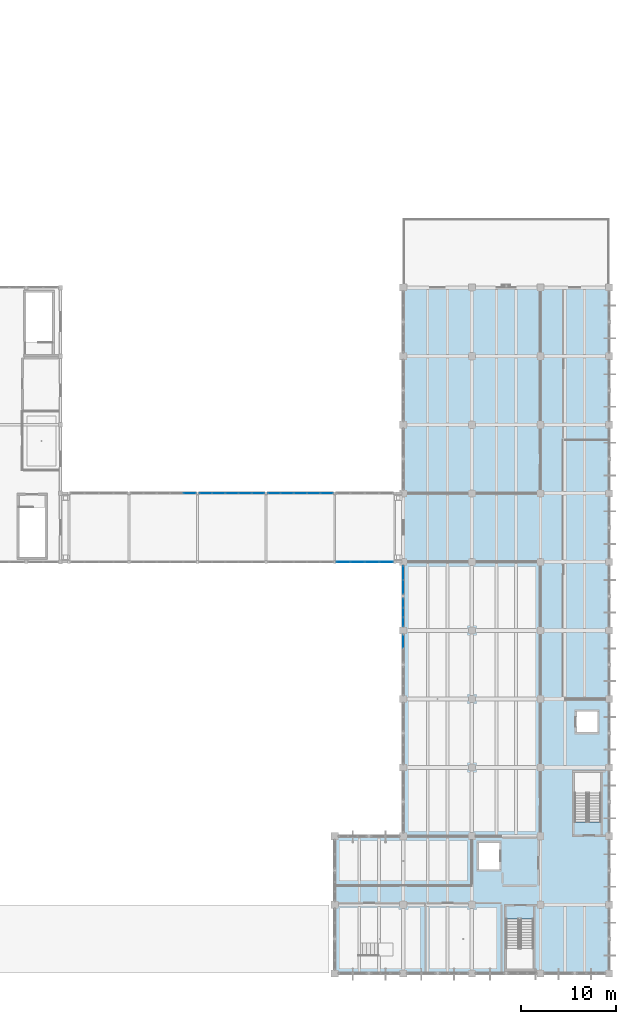
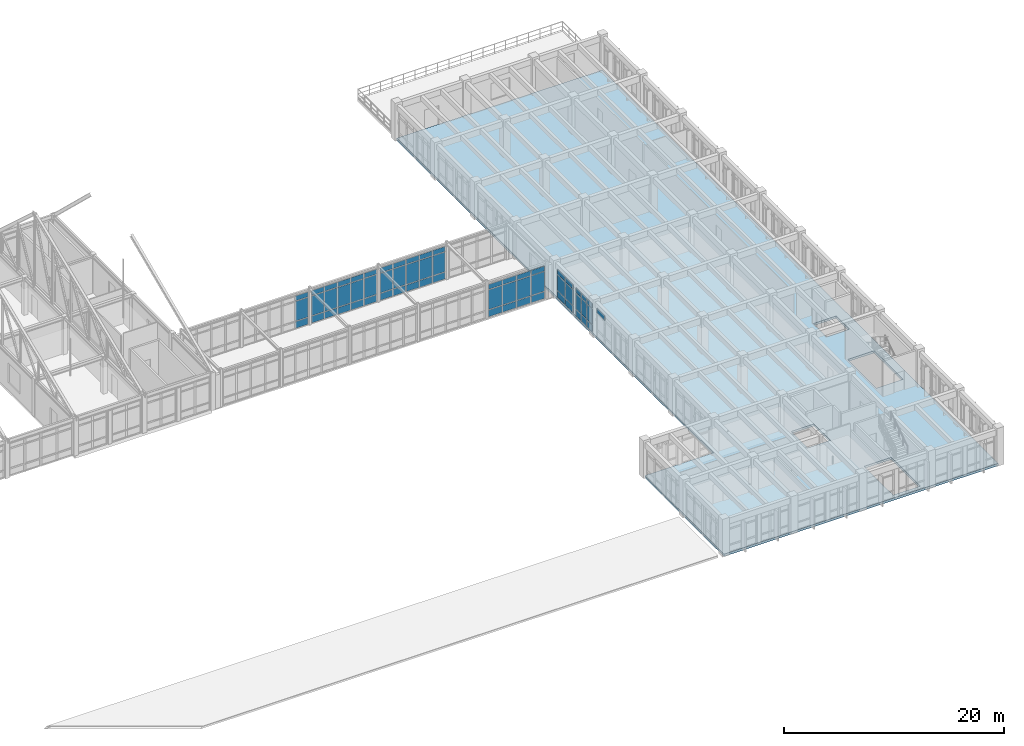
# One storey, part 90 of 136: 61 plates, 1 slab, 7 elements without a shape of their own.
"""IFC4 building model written with IfcOpenShell, lengths in metres."""

from ifc_helpers import new_model, si_unit, direction, frame, origin, origin_2d, place, context, subcontext, project, spatial, polyline, rectangle, outline, extrude, material, layer, layer_set, type_object, element, aggregate, save


model = new_model("IFC4")

# Units and contexts
model_context = context("Model", 3, precision=1e-05, world=origin(), true_north=direction((0.0, 1.0)))
body_context = subcontext(model_context, "Body", "Model", "MODEL_VIEW")
ifc_project = project(units=[si_unit("LENGTHUNIT", "METRE"), si_unit("AREAUNIT", "SQUARE_METRE"), si_unit("VOLUMEUNIT", "CUBIC_METRE"), si_unit("PLANEANGLEUNIT", "RADIAN"), si_unit("MASSUNIT", "GRAM", prefix="KILO")], contexts=[model_context])

# Site, building, storey
site_placement = place(None, origin())
site = spatial("IfcSite", under=ifc_project, at=site_placement, CompositionType="ELEMENT")
building_placement = place(site_placement, origin())
building = spatial("IfcBuilding", under=site, at=building_placement, Name="Koriwan Promenade Central Fire Station", CompositionType="ELEMENT")
storey_placement = place(building_placement, frame((0.0, 0.0, 5.39990234375)))
storey = spatial("IfcBuildingStorey", under=building, at=storey_placement, Name="L01", CompositionType="ELEMENT", Elevation=5.39990234375)

# Curtain wall, plate
ifc_material_1 = material(Name="Aluminium EN AW-6063-T6 and low-E glazing", Category="aluminium")
ifc_layer_1 = layer(ifc_material_1, 0.159912109375, Name="Aluminium EN AW-6063-T6 and low-E glazing")
ifc_layer_set_1 = layer_set([ifc_layer_1], Name="Aluminium EN AW-6063-T6 and low-E glazing")
curtain_wall_type_1 = type_object("IfcCurtainWallType", Name="CurtainWall_68_302x334", PredefinedType="USERDEFINED", material=ifc_layer_set_1)
curtain_wall_1_placement = place(storey_placement, origin())
curtain_wall_1 = element("IfcCurtainWall", 1, at=curtain_wall_1_placement, inside=storey, type_object=curtain_wall_type_1, Name="V5 L01 unitised curtain wall 180", ObjectType="UNITISED CURTAIN WALL", PredefinedType="USERDEFINED")
ifc_material_2 = material(Name="Solar-control low-E acoustic glazing", Category="glass")
ifc_layer_2 = layer(ifc_material_2, 0.031982421875, Name="Solar-control low-E acoustic glazing")
ifc_layer_set_2 = layer_set([ifc_layer_2], Name="Solar-control low-E acoustic glazing")
plate_type = type_object("IfcPlateType", Name="CWPanel_32", PredefinedType="CURTAIN_PANEL", material=ifc_layer_set_2)
plate_1_placement = place(storey_placement, frame((151.199951171875, 34.85009765625, 2.7275390625), z_axis=(0.0, 0.0, 1.0), x_axis=(0.0, 1.0, 0.0)))
plate_1 = element("IfcPlate", 2, at=plate_1_placement, type_object=plate_type, Name="CW-68 panel 2.3", PredefinedType="CURTAIN_PANEL", context=body_context, shape_type="SweptSolid", body=[
    extrude(rectangle(XDim=1.39990234375, YDim=0.031982421875, at=origin_2d()), origin(), (0.0, 0.0, 1.0), 0.53759765625),
])
aggregate(curtain_wall_1, [plate_1])

# Curtain wall, plates
ifc_layer_3 = layer(ifc_material_1, 0.159912109375, Name="Aluminium EN AW-6063-T6 and low-E glazing")
ifc_layer_set_3 = layer_set([ifc_layer_3], Name="Aluminium EN AW-6063-T6 and low-E glazing")
curtain_wall_type_2 = type_object("IfcCurtainWallType", Name="CurtainWall_62_302x329", PredefinedType="USERDEFINED", material=ifc_layer_set_3)
curtain_wall_2_placement = place(storey_placement, origin())
curtain_wall_2 = element("IfcCurtainWall", 3, at=curtain_wall_2_placement, inside=storey, type_object=curtain_wall_type_2, Name="V5 L01 unitised curtain wall 181", ObjectType="UNITISED CURTAIN WALL", PredefinedType="USERDEFINED")
plate_2_placement = place(storey_placement, frame((151.199951171875, 36.89794921875, 0.0751953125), z_axis=(0.0, 0.0, 1.0), x_axis=(0.0, 1.0, 0.0)))
plate_2 = element("IfcPlate", 4, at=plate_2_placement, type_object=plate_type, Name="CW-62 panel 1.1", PredefinedType="CURTAIN_PANEL", context=body_context, shape_type="SweptSolid", body=[
    extrude(rectangle(XDim=0.895751953125, YDim=0.031982421875, at=origin_2d()), origin(), (0.0, 0.0, 1.0), 0.737548828125),
])
plate_3_placement = place(storey_placement, frame((151.199951171875, 36.89794921875, 0.8876953125), z_axis=(0.0, 0.0, 1.0), x_axis=(0.0, 1.0, 0.0)))
plate_3 = element("IfcPlate", 5, at=plate_3_placement, type_object=plate_type, Name="CW-62 panel 1.2", PredefinedType="CURTAIN_PANEL", context=body_context, shape_type="SweptSolid", body=[
    extrude(rectangle(XDim=0.895751953125, YDim=0.031982421875, at=origin_2d()), origin(), (0.0, 0.0, 1.0), 1.715087890625),
])
plate_4_placement = place(storey_placement, frame((151.199951171875, 36.89794921875, 2.677490234375), z_axis=(0.0, 0.0, 1.0), x_axis=(0.0, 1.0, 0.0)))
plate_4 = element("IfcPlate", 6, at=plate_4_placement, type_object=plate_type, Name="CW-62 panel 1.3", PredefinedType="CURTAIN_PANEL", context=body_context, shape_type="SweptSolid", body=[
    extrude(rectangle(XDim=0.895751953125, YDim=0.031982421875, at=origin_2d()), origin(), (0.0, 0.0, 1.0), 0.53759765625),
])
plate_5_placement = place(storey_placement, frame((151.199951171875, 37.887451171875, 0.0751953125), z_axis=(0.0, 0.0, 1.0), x_axis=(0.0, 1.0, 0.0)))
plate_5 = element("IfcPlate", 7, at=plate_5_placement, type_object=plate_type, Name="CW-62 panel 2.1", PredefinedType="CURTAIN_PANEL", context=body_context, shape_type="SweptSolid", body=[
    extrude(rectangle(XDim=0.933349609375, YDim=0.031982421875, at=origin_2d()), origin(), (0.0, 0.0, 1.0), 0.737548828125),
])
plate_6_placement = place(storey_placement, frame((151.199951171875, 37.887451171875, 0.8876953125), z_axis=(0.0, 0.0, 1.0), x_axis=(0.0, 1.0, 0.0)))
plate_6 = element("IfcPlate", 8, at=plate_6_placement, type_object=plate_type, Name="CW-62 panel 2.2", PredefinedType="CURTAIN_PANEL", context=body_context, shape_type="SweptSolid", body=[
    extrude(rectangle(XDim=0.933349609375, YDim=0.031982421875, at=origin_2d()), origin(), (0.0, 0.0, 1.0), 1.715087890625),
])
plate_7_placement = place(storey_placement, frame((151.199951171875, 37.887451171875, 2.677490234375), z_axis=(0.0, 0.0, 1.0), x_axis=(0.0, 1.0, 0.0)))
plate_7 = element("IfcPlate", 9, at=plate_7_placement, type_object=plate_type, Name="CW-62 panel 2.3", PredefinedType="CURTAIN_PANEL", context=body_context, shape_type="SweptSolid", body=[
    extrude(rectangle(XDim=0.933349609375, YDim=0.031982421875, at=origin_2d()), origin(), (0.0, 0.0, 1.0), 0.53759765625),
])
plate_8_placement = place(storey_placement, frame((151.199951171875, 38.877197265625, 0.0751953125), z_axis=(0.0, 0.0, 1.0), x_axis=(0.0, 1.0, 0.0)))
plate_8 = element("IfcPlate", 10, at=plate_8_placement, type_object=plate_type, Name="CW-62 panel 3.1", PredefinedType="CURTAIN_PANEL", context=body_context, shape_type="SweptSolid", body=[
    extrude(rectangle(XDim=0.895751953125, YDim=0.031982421875, at=origin_2d()), origin(), (0.0, 0.0, 1.0), 0.737548828125),
])
plate_9_placement = place(storey_placement, frame((151.199951171875, 38.877197265625, 0.8876953125), z_axis=(0.0, 0.0, 1.0), x_axis=(0.0, 1.0, 0.0)))
plate_9 = element("IfcPlate", 11, at=plate_9_placement, type_object=plate_type, Name="CW-62 panel 3.2", PredefinedType="CURTAIN_PANEL", context=body_context, shape_type="SweptSolid", body=[
    extrude(rectangle(XDim=0.895751953125, YDim=0.031982421875, at=origin_2d()), origin(), (0.0, 0.0, 1.0), 1.715087890625),
])
plate_10_placement = place(storey_placement, frame((151.199951171875, 38.877197265625, 2.677490234375), z_axis=(0.0, 0.0, 1.0), x_axis=(0.0, 1.0, 0.0)))
plate_10 = element("IfcPlate", 12, at=plate_10_placement, type_object=plate_type, Name="CW-62 panel 3.3", PredefinedType="CURTAIN_PANEL", context=body_context, shape_type="SweptSolid", body=[
    extrude(rectangle(XDim=0.895751953125, YDim=0.031982421875, at=origin_2d()), origin(), (0.0, 0.0, 1.0), 0.53759765625),
])
aggregate(curtain_wall_2, [plate_2, plate_3, plate_4, plate_5, plate_6, plate_7, plate_8, plate_9, plate_10])

ifc_layer_4 = layer(ifc_material_1, 0.159912109375, Name="Aluminium EN AW-6063-T6 and low-E glazing")
ifc_layer_set_4 = layer_set([ifc_layer_4], Name="Aluminium EN AW-6063-T6 and low-E glazing")
curtain_wall_type_3 = type_object("IfcCurtainWallType", Name="CurtainWall_08_303x329", PredefinedType="USERDEFINED", material=ifc_layer_set_4)
curtain_wall_3_placement = place(storey_placement, origin())
curtain_wall_3 = element("IfcCurtainWall", 13, at=curtain_wall_3_placement, inside=storey, type_object=curtain_wall_type_3, Name="V5 L01 unitised curtain wall 182", ObjectType="UNITISED CURTAIN WALL", PredefinedType="USERDEFINED")
plate_11_placement = place(storey_placement, frame((151.199951171875, 40.574951171875, 0.0751953125), z_axis=(0.0, 0.0, 1.0), x_axis=(0.0, 1.0, 0.0)))
plate_11 = element("IfcPlate", 14, at=plate_11_placement, type_object=plate_type, Name="CW-08 panel 1.1", PredefinedType="CURTAIN_PANEL", context=body_context, shape_type="SweptSolid", body=[
    extrude(rectangle(XDim=1.39990234375, YDim=0.031982421875, at=origin_2d()), origin(), (0.0, 0.0, 1.0), 0.737548828125),
])
plate_12_placement = place(storey_placement, frame((151.199951171875, 40.574951171875, 0.8876953125), z_axis=(0.0, 0.0, 1.0), x_axis=(0.0, 1.0, 0.0)))
plate_12 = element("IfcPlate", 15, at=plate_12_placement, type_object=plate_type, Name="CW-08 panel 1.2", PredefinedType="CURTAIN_PANEL", context=body_context, shape_type="SweptSolid", body=[
    extrude(rectangle(XDim=1.39990234375, YDim=0.031982421875, at=origin_2d()), origin(), (0.0, 0.0, 1.0), 1.715087890625),
])
plate_13_placement = place(storey_placement, frame((151.199951171875, 40.574951171875, 2.677490234375), z_axis=(0.0, 0.0, 1.0), x_axis=(0.0, 1.0, 0.0)))
plate_13 = element("IfcPlate", 16, at=plate_13_placement, type_object=plate_type, Name="CW-08 panel 1.3", PredefinedType="CURTAIN_PANEL", context=body_context, shape_type="SweptSolid", body=[
    extrude(rectangle(XDim=1.39990234375, YDim=0.031982421875, at=origin_2d()), origin(), (0.0, 0.0, 1.0), 0.53759765625),
])
plate_14_placement = place(storey_placement, frame((151.199951171875, 42.050048828125, 0.0751953125), z_axis=(0.0, 0.0, 1.0), x_axis=(0.0, 1.0, 0.0)))
plate_14 = element("IfcPlate", 17, at=plate_14_placement, type_object=plate_type, Name="CW-08 panel 2.1", PredefinedType="CURTAIN_PANEL", context=body_context, shape_type="SweptSolid", body=[
    extrude(rectangle(XDim=1.39990234375, YDim=0.031982421875, at=origin_2d()), origin(), (0.0, 0.0, 1.0), 0.737548828125),
])
plate_15_placement = place(storey_placement, frame((151.199951171875, 42.050048828125, 0.8876953125), z_axis=(0.0, 0.0, 1.0), x_axis=(0.0, 1.0, 0.0)))
plate_15 = element("IfcPlate", 18, at=plate_15_placement, type_object=plate_type, Name="CW-08 panel 2.2", PredefinedType="CURTAIN_PANEL", context=body_context, shape_type="SweptSolid", body=[
    extrude(rectangle(XDim=1.39990234375, YDim=0.031982421875, at=origin_2d()), origin(), (0.0, 0.0, 1.0), 1.715087890625),
])
plate_16_placement = place(storey_placement, frame((151.199951171875, 42.050048828125, 2.677490234375), z_axis=(0.0, 0.0, 1.0), x_axis=(0.0, 1.0, 0.0)))
plate_16 = element("IfcPlate", 19, at=plate_16_placement, type_object=plate_type, Name="CW-08 panel 2.3", PredefinedType="CURTAIN_PANEL", context=body_context, shape_type="SweptSolid", body=[
    extrude(rectangle(XDim=1.39990234375, YDim=0.031982421875, at=origin_2d()), origin(), (0.0, 0.0, 1.0), 0.53759765625),
])
aggregate(curtain_wall_3, [plate_11, plate_12, plate_13, plate_14, plate_15, plate_16])

ifc_layer_5 = layer(ifc_material_1, 0.159912109375, Name="Aluminium EN AW-6063-T6 and low-E glazing")
ifc_layer_set_5 = layer_set([ifc_layer_5], Name="Aluminium EN AW-6063-T6 and low-E glazing")
curtain_wall_type_4 = type_object("IfcCurtainWallType", Name="CurtainWall_98_695x374", PredefinedType="USERDEFINED", material=ifc_layer_set_5)
curtain_wall_4_placement = place(storey_placement, origin())
curtain_wall_4 = element("IfcCurtainWall", 20, at=curtain_wall_4_placement, inside=storey, type_object=curtain_wall_type_4, Name="V5 L01 unitised curtain wall 311", ObjectType="UNITISED CURTAIN WALL", PredefinedType="USERDEFINED")
plate_17_placement = place(storey_placement, frame((128.76123046875, 50.39990234375, 0.0751953125), z_axis=(0.0, 0.0, 1.0), x_axis=(1.0, 0.0, 0.0)))
plate_17 = element("IfcPlate", 21, at=plate_17_placement, type_object=plate_type, Name="CW-98 panel 5.1", PredefinedType="CURTAIN_PANEL", context=body_context, shape_type="SweptSolid", body=[
    extrude(rectangle(XDim=1.277587890625, YDim=0.031982421875, at=origin_2d()), origin(), (0.0, 0.0, 1.0), 0.737548828125),
])
plate_18_placement = place(storey_placement, frame((128.76123046875, 50.39990234375, 0.8876953125), z_axis=(0.0, 0.0, 1.0), x_axis=(1.0, 0.0, 0.0)))
plate_18 = element("IfcPlate", 22, at=plate_18_placement, type_object=plate_type, Name="CW-98 panel 5.2", PredefinedType="CURTAIN_PANEL", context=body_context, shape_type="SweptSolid", body=[
    extrude(rectangle(XDim=1.277587890625, YDim=0.031982421875, at=origin_2d()), origin(), (0.0, 0.0, 1.0), 2.1650390625),
])
plate_19_placement = place(storey_placement, frame((128.76123046875, 50.39990234375, 3.12744140625), z_axis=(0.0, 0.0, 1.0), x_axis=(1.0, 0.0, 0.0)))
plate_19 = element("IfcPlate", 23, at=plate_19_placement, type_object=plate_type, Name="CW-98 panel 5.3", PredefinedType="CURTAIN_PANEL", context=body_context, shape_type="SweptSolid", body=[
    extrude(rectangle(XDim=1.277587890625, YDim=0.031982421875, at=origin_2d()), origin(), (0.0, 0.0, 1.0), 0.53759765625),
])
aggregate(curtain_wall_4, [plate_17, plate_18, plate_19])

curtain_wall_5_placement = place(storey_placement, origin())
curtain_wall_5 = element("IfcCurtainWall", 24, at=curtain_wall_5_placement, inside=storey, type_object=curtain_wall_type_4, Name="V5 L01 unitised curtain wall 313", ObjectType="UNITISED CURTAIN WALL", PredefinedType="USERDEFINED")
plate_20_placement = place(storey_placement, frame((130.438720703125, 50.39990234375, 0.0751953125), z_axis=(0.0, 0.0, 1.0), x_axis=(1.0, 0.0, 0.0)))
plate_20 = element("IfcPlate", 25, at=plate_20_placement, type_object=plate_type, Name="CW-98 panel 1.1", PredefinedType="CURTAIN_PANEL", context=body_context, shape_type="SweptSolid", body=[
    extrude(rectangle(XDim=1.277587890625, YDim=0.031982421875, at=origin_2d()), origin(), (0.0, 0.0, 1.0), 0.737548828125),
])
plate_21_placement = place(storey_placement, frame((130.438720703125, 50.39990234375, 0.8876953125), z_axis=(0.0, 0.0, 1.0), x_axis=(1.0, 0.0, 0.0)))
plate_21 = element("IfcPlate", 26, at=plate_21_placement, type_object=plate_type, Name="CW-98 panel 1.2", PredefinedType="CURTAIN_PANEL", context=body_context, shape_type="SweptSolid", body=[
    extrude(rectangle(XDim=1.277587890625, YDim=0.031982421875, at=origin_2d()), origin(), (0.0, 0.0, 1.0), 2.1650390625),
])
plate_22_placement = place(storey_placement, frame((130.438720703125, 50.39990234375, 3.12744140625), z_axis=(0.0, 0.0, 1.0), x_axis=(1.0, 0.0, 0.0)))
plate_22 = element("IfcPlate", 27, at=plate_22_placement, type_object=plate_type, Name="CW-98 panel 1.3", PredefinedType="CURTAIN_PANEL", context=body_context, shape_type="SweptSolid", body=[
    extrude(rectangle(XDim=1.277587890625, YDim=0.031982421875, at=origin_2d()), origin(), (0.0, 0.0, 1.0), 0.53759765625),
])
plate_23_placement = place(storey_placement, frame((131.81005859375, 50.39990234375, 0.0751953125), z_axis=(0.0, 0.0, 1.0), x_axis=(1.0, 0.0, 0.0)))
plate_23 = element("IfcPlate", 28, at=plate_23_placement, type_object=plate_type, Name="CW-98 panel 2.1", PredefinedType="CURTAIN_PANEL", context=body_context, shape_type="SweptSolid", body=[
    extrude(rectangle(XDim=1.31494140625, YDim=0.031982421875, at=origin_2d()), origin(), (0.0, 0.0, 1.0), 0.737548828125),
])
plate_24_placement = place(storey_placement, frame((131.81005859375, 50.39990234375, 0.8876953125), z_axis=(0.0, 0.0, 1.0), x_axis=(1.0, 0.0, 0.0)))
plate_24 = element("IfcPlate", 29, at=plate_24_placement, type_object=plate_type, Name="CW-98 panel 2.2", PredefinedType="CURTAIN_PANEL", context=body_context, shape_type="SweptSolid", body=[
    extrude(rectangle(XDim=1.31494140625, YDim=0.031982421875, at=origin_2d()), origin(), (0.0, 0.0, 1.0), 2.1650390625),
])
plate_25_placement = place(storey_placement, frame((131.81005859375, 50.39990234375, 3.12744140625), z_axis=(0.0, 0.0, 1.0), x_axis=(1.0, 0.0, 0.0)))
plate_25 = element("IfcPlate", 30, at=plate_25_placement, type_object=plate_type, Name="CW-98 panel 2.3", PredefinedType="CURTAIN_PANEL", context=body_context, shape_type="SweptSolid", body=[
    extrude(rectangle(XDim=1.31494140625, YDim=0.031982421875, at=origin_2d()), origin(), (0.0, 0.0, 1.0), 0.53759765625),
])
plate_26_placement = place(storey_placement, frame((133.199951171875, 50.39990234375, 0.0751953125), z_axis=(0.0, 0.0, 1.0), x_axis=(1.0, 0.0, 0.0)))
plate_26 = element("IfcPlate", 31, at=plate_26_placement, type_object=plate_type, Name="CW-98 panel 3.1", PredefinedType="CURTAIN_PANEL", context=body_context, shape_type="SweptSolid", body=[
    extrude(rectangle(XDim=1.31494140625, YDim=0.031982421875, at=origin_2d()), origin(), (0.0, 0.0, 1.0), 0.737548828125),
])
plate_27_placement = place(storey_placement, frame((133.199951171875, 50.39990234375, 0.8876953125), z_axis=(0.0, 0.0, 1.0), x_axis=(1.0, 0.0, 0.0)))
plate_27 = element("IfcPlate", 32, at=plate_27_placement, type_object=plate_type, Name="CW-98 panel 3.2", PredefinedType="CURTAIN_PANEL", context=body_context, shape_type="SweptSolid", body=[
    extrude(rectangle(XDim=1.31494140625, YDim=0.031982421875, at=origin_2d()), origin(), (0.0, 0.0, 1.0), 2.1650390625),
])
plate_28_placement = place(storey_placement, frame((133.199951171875, 50.39990234375, 3.12744140625), z_axis=(0.0, 0.0, 1.0), x_axis=(1.0, 0.0, 0.0)))
plate_28 = element("IfcPlate", 33, at=plate_28_placement, type_object=plate_type, Name="CW-98 panel 3.3", PredefinedType="CURTAIN_PANEL", context=body_context, shape_type="SweptSolid", body=[
    extrude(rectangle(XDim=1.31494140625, YDim=0.031982421875, at=origin_2d()), origin(), (0.0, 0.0, 1.0), 0.53759765625),
])
plate_29_placement = place(storey_placement, frame((134.590087890625, 50.39990234375, 0.0751953125), z_axis=(0.0, 0.0, 1.0), x_axis=(1.0, 0.0, 0.0)))
plate_29 = element("IfcPlate", 34, at=plate_29_placement, type_object=plate_type, Name="CW-98 panel 4.1", PredefinedType="CURTAIN_PANEL", context=body_context, shape_type="SweptSolid", body=[
    extrude(rectangle(XDim=1.31494140625, YDim=0.031982421875, at=origin_2d()), origin(), (0.0, 0.0, 1.0), 0.737548828125),
])
plate_30_placement = place(storey_placement, frame((134.590087890625, 50.39990234375, 0.8876953125), z_axis=(0.0, 0.0, 1.0), x_axis=(1.0, 0.0, 0.0)))
plate_30 = element("IfcPlate", 35, at=plate_30_placement, type_object=plate_type, Name="CW-98 panel 4.2", PredefinedType="CURTAIN_PANEL", context=body_context, shape_type="SweptSolid", body=[
    extrude(rectangle(XDim=1.31494140625, YDim=0.031982421875, at=origin_2d()), origin(), (0.0, 0.0, 1.0), 2.1650390625),
])
plate_31_placement = place(storey_placement, frame((134.590087890625, 50.39990234375, 3.12744140625), z_axis=(0.0, 0.0, 1.0), x_axis=(1.0, 0.0, 0.0)))
plate_31 = element("IfcPlate", 36, at=plate_31_placement, type_object=plate_type, Name="CW-98 panel 4.3", PredefinedType="CURTAIN_PANEL", context=body_context, shape_type="SweptSolid", body=[
    extrude(rectangle(XDim=1.31494140625, YDim=0.031982421875, at=origin_2d()), origin(), (0.0, 0.0, 1.0), 0.53759765625),
])
plate_32_placement = place(storey_placement, frame((135.961181640625, 50.39990234375, 0.0751953125), z_axis=(0.0, 0.0, 1.0), x_axis=(1.0, 0.0, 0.0)))
plate_32 = element("IfcPlate", 37, at=plate_32_placement, type_object=plate_type, Name="CW-98 panel 5.1", PredefinedType="CURTAIN_PANEL", context=body_context, shape_type="SweptSolid", body=[
    extrude(rectangle(XDim=1.277587890625, YDim=0.031982421875, at=origin_2d()), origin(), (0.0, 0.0, 1.0), 0.737548828125),
])
plate_33_placement = place(storey_placement, frame((135.961181640625, 50.39990234375, 0.8876953125), z_axis=(0.0, 0.0, 1.0), x_axis=(1.0, 0.0, 0.0)))
plate_33 = element("IfcPlate", 38, at=plate_33_placement, type_object=plate_type, Name="CW-98 panel 5.2", PredefinedType="CURTAIN_PANEL", context=body_context, shape_type="SweptSolid", body=[
    extrude(rectangle(XDim=1.277587890625, YDim=0.031982421875, at=origin_2d()), origin(), (0.0, 0.0, 1.0), 2.1650390625),
])
plate_34_placement = place(storey_placement, frame((135.961181640625, 50.39990234375, 3.12744140625), z_axis=(0.0, 0.0, 1.0), x_axis=(1.0, 0.0, 0.0)))
plate_34 = element("IfcPlate", 39, at=plate_34_placement, type_object=plate_type, Name="CW-98 panel 5.3", PredefinedType="CURTAIN_PANEL", context=body_context, shape_type="SweptSolid", body=[
    extrude(rectangle(XDim=1.277587890625, YDim=0.031982421875, at=origin_2d()), origin(), (0.0, 0.0, 1.0), 0.53759765625),
])
aggregate(curtain_wall_5, [plate_20, plate_21, plate_22, plate_23, plate_24, plate_25, plate_26, plate_27, plate_28, plate_29, plate_30, plate_31, plate_32, plate_33, plate_34])

curtain_wall_6_placement = place(storey_placement, origin())
curtain_wall_6 = element("IfcCurtainWall", 40, at=curtain_wall_6_placement, inside=storey, type_object=curtain_wall_type_4, Name="V5 L01 unitised curtain wall 315", ObjectType="UNITISED CURTAIN WALL", PredefinedType="USERDEFINED")
plate_35_placement = place(storey_placement, frame((137.638671875, 50.39990234375, 0.0751953125), z_axis=(0.0, 0.0, 1.0), x_axis=(1.0, 0.0, 0.0)))
plate_35 = element("IfcPlate", 41, at=plate_35_placement, type_object=plate_type, Name="CW-98 panel 1.1", PredefinedType="CURTAIN_PANEL", context=body_context, shape_type="SweptSolid", body=[
    extrude(rectangle(XDim=1.277587890625, YDim=0.031982421875, at=origin_2d()), origin(), (0.0, 0.0, 1.0), 0.737548828125),
])
plate_36_placement = place(storey_placement, frame((137.638671875, 50.39990234375, 0.8876953125), z_axis=(0.0, 0.0, 1.0), x_axis=(1.0, 0.0, 0.0)))
plate_36 = element("IfcPlate", 42, at=plate_36_placement, type_object=plate_type, Name="CW-98 panel 1.2", PredefinedType="CURTAIN_PANEL", context=body_context, shape_type="SweptSolid", body=[
    extrude(rectangle(XDim=1.277587890625, YDim=0.031982421875, at=origin_2d()), origin(), (0.0, 0.0, 1.0), 2.1650390625),
])
plate_37_placement = place(storey_placement, frame((137.638671875, 50.39990234375, 3.12744140625), z_axis=(0.0, 0.0, 1.0), x_axis=(1.0, 0.0, 0.0)))
plate_37 = element("IfcPlate", 43, at=plate_37_placement, type_object=plate_type, Name="CW-98 panel 1.3", PredefinedType="CURTAIN_PANEL", context=body_context, shape_type="SweptSolid", body=[
    extrude(rectangle(XDim=1.277587890625, YDim=0.031982421875, at=origin_2d()), origin(), (0.0, 0.0, 1.0), 0.53759765625),
])
plate_38_placement = place(storey_placement, frame((139.010009765625, 50.39990234375, 0.0751953125), z_axis=(0.0, 0.0, 1.0), x_axis=(1.0, 0.0, 0.0)))
plate_38 = element("IfcPlate", 44, at=plate_38_placement, type_object=plate_type, Name="CW-98 panel 2.1", PredefinedType="CURTAIN_PANEL", context=body_context, shape_type="SweptSolid", body=[
    extrude(rectangle(XDim=1.31494140625, YDim=0.031982421875, at=origin_2d()), origin(), (0.0, 0.0, 1.0), 0.737548828125),
])
plate_39_placement = place(storey_placement, frame((139.010009765625, 50.39990234375, 0.8876953125), z_axis=(0.0, 0.0, 1.0), x_axis=(1.0, 0.0, 0.0)))
plate_39 = element("IfcPlate", 45, at=plate_39_placement, type_object=plate_type, Name="CW-98 panel 2.2", PredefinedType="CURTAIN_PANEL", context=body_context, shape_type="SweptSolid", body=[
    extrude(rectangle(XDim=1.31494140625, YDim=0.031982421875, at=origin_2d()), origin(), (0.0, 0.0, 1.0), 2.1650390625),
])
plate_40_placement = place(storey_placement, frame((139.010009765625, 50.39990234375, 3.12744140625), z_axis=(0.0, 0.0, 1.0), x_axis=(1.0, 0.0, 0.0)))
plate_40 = element("IfcPlate", 46, at=plate_40_placement, type_object=plate_type, Name="CW-98 panel 2.3", PredefinedType="CURTAIN_PANEL", context=body_context, shape_type="SweptSolid", body=[
    extrude(rectangle(XDim=1.31494140625, YDim=0.031982421875, at=origin_2d()), origin(), (0.0, 0.0, 1.0), 0.53759765625),
])
plate_41_placement = place(storey_placement, frame((140.39990234375, 50.39990234375, 0.0751953125), z_axis=(0.0, 0.0, 1.0), x_axis=(1.0, 0.0, 0.0)))
plate_41 = element("IfcPlate", 47, at=plate_41_placement, type_object=plate_type, Name="CW-98 panel 3.1", PredefinedType="CURTAIN_PANEL", context=body_context, shape_type="SweptSolid", body=[
    extrude(rectangle(XDim=1.31494140625, YDim=0.031982421875, at=origin_2d()), origin(), (0.0, 0.0, 1.0), 0.737548828125),
])
plate_42_placement = place(storey_placement, frame((140.39990234375, 50.39990234375, 0.8876953125), z_axis=(0.0, 0.0, 1.0), x_axis=(1.0, 0.0, 0.0)))
plate_42 = element("IfcPlate", 48, at=plate_42_placement, type_object=plate_type, Name="CW-98 panel 3.2", PredefinedType="CURTAIN_PANEL", context=body_context, shape_type="SweptSolid", body=[
    extrude(rectangle(XDim=1.31494140625, YDim=0.031982421875, at=origin_2d()), origin(), (0.0, 0.0, 1.0), 2.1650390625),
])
plate_43_placement = place(storey_placement, frame((140.39990234375, 50.39990234375, 3.12744140625), z_axis=(0.0, 0.0, 1.0), x_axis=(1.0, 0.0, 0.0)))
plate_43 = element("IfcPlate", 49, at=plate_43_placement, type_object=plate_type, Name="CW-98 panel 3.3", PredefinedType="CURTAIN_PANEL", context=body_context, shape_type="SweptSolid", body=[
    extrude(rectangle(XDim=1.31494140625, YDim=0.031982421875, at=origin_2d()), origin(), (0.0, 0.0, 1.0), 0.53759765625),
])
plate_44_placement = place(storey_placement, frame((141.7900390625, 50.39990234375, 0.0751953125), z_axis=(0.0, 0.0, 1.0), x_axis=(1.0, 0.0, 0.0)))
plate_44 = element("IfcPlate", 50, at=plate_44_placement, type_object=plate_type, Name="CW-98 panel 4.1", PredefinedType="CURTAIN_PANEL", context=body_context, shape_type="SweptSolid", body=[
    extrude(rectangle(XDim=1.31494140625, YDim=0.031982421875, at=origin_2d()), origin(), (0.0, 0.0, 1.0), 0.737548828125),
])
plate_45_placement = place(storey_placement, frame((141.7900390625, 50.39990234375, 0.8876953125), z_axis=(0.0, 0.0, 1.0), x_axis=(1.0, 0.0, 0.0)))
plate_45 = element("IfcPlate", 51, at=plate_45_placement, type_object=plate_type, Name="CW-98 panel 4.2", PredefinedType="CURTAIN_PANEL", context=body_context, shape_type="SweptSolid", body=[
    extrude(rectangle(XDim=1.31494140625, YDim=0.031982421875, at=origin_2d()), origin(), (0.0, 0.0, 1.0), 2.1650390625),
])
plate_46_placement = place(storey_placement, frame((141.7900390625, 50.39990234375, 3.12744140625), z_axis=(0.0, 0.0, 1.0), x_axis=(1.0, 0.0, 0.0)))
plate_46 = element("IfcPlate", 52, at=plate_46_placement, type_object=plate_type, Name="CW-98 panel 4.3", PredefinedType="CURTAIN_PANEL", context=body_context, shape_type="SweptSolid", body=[
    extrude(rectangle(XDim=1.31494140625, YDim=0.031982421875, at=origin_2d()), origin(), (0.0, 0.0, 1.0), 0.53759765625),
])
plate_47_placement = place(storey_placement, frame((143.1611328125, 50.39990234375, 0.0751953125), z_axis=(0.0, 0.0, 1.0), x_axis=(1.0, 0.0, 0.0)))
plate_47 = element("IfcPlate", 53, at=plate_47_placement, type_object=plate_type, Name="CW-98 panel 5.1", PredefinedType="CURTAIN_PANEL", context=body_context, shape_type="SweptSolid", body=[
    extrude(rectangle(XDim=1.277587890625, YDim=0.031982421875, at=origin_2d()), origin(), (0.0, 0.0, 1.0), 0.737548828125),
])
plate_48_placement = place(storey_placement, frame((143.1611328125, 50.39990234375, 0.8876953125), z_axis=(0.0, 0.0, 1.0), x_axis=(1.0, 0.0, 0.0)))
plate_48 = element("IfcPlate", 54, at=plate_48_placement, type_object=plate_type, Name="CW-98 panel 5.2", PredefinedType="CURTAIN_PANEL", context=body_context, shape_type="SweptSolid", body=[
    extrude(rectangle(XDim=1.277587890625, YDim=0.031982421875, at=origin_2d()), origin(), (0.0, 0.0, 1.0), 2.1650390625),
])
plate_49_placement = place(storey_placement, frame((143.1611328125, 50.39990234375, 3.12744140625), z_axis=(0.0, 0.0, 1.0), x_axis=(1.0, 0.0, 0.0)))
plate_49 = element("IfcPlate", 55, at=plate_49_placement, type_object=plate_type, Name="CW-98 panel 5.3", PredefinedType="CURTAIN_PANEL", context=body_context, shape_type="SweptSolid", body=[
    extrude(rectangle(XDim=1.277587890625, YDim=0.031982421875, at=origin_2d()), origin(), (0.0, 0.0, 1.0), 0.53759765625),
])
aggregate(curtain_wall_6, [plate_35, plate_36, plate_37, plate_38, plate_39, plate_40, plate_41, plate_42, plate_43, plate_44, plate_45, plate_46, plate_47, plate_48, plate_49])

ifc_layer_6 = layer(ifc_material_1, 0.159912109375, Name="Aluminium EN AW-6063-T6 and low-E glazing")
ifc_layer_set_6 = layer_set([ifc_layer_6], Name="Aluminium EN AW-6063-T6 and low-E glazing")
curtain_wall_type_5 = type_object("IfcCurtainWallType", Name="CurtainWall_97_605x374", PredefinedType="USERDEFINED", material=ifc_layer_set_6)
curtain_wall_7_placement = place(storey_placement, origin())
curtain_wall_7 = element("IfcCurtainWall", 56, at=curtain_wall_7_placement, inside=storey, type_object=curtain_wall_type_5, Name="V5 L01 unitised curtain wall 316", ObjectType="UNITISED CURTAIN WALL", PredefinedType="USERDEFINED")
plate_50_placement = place(storey_placement, frame((144.89990234375, 43.199951171875, 0.0751953125), z_axis=(0.0, 0.0, 1.0), x_axis=(1.0, 0.0, 0.0)))
plate_50 = element("IfcPlate", 57, at=plate_50_placement, type_object=plate_type, Name="CW-97 panel 1.1", PredefinedType="CURTAIN_PANEL", context=body_context, shape_type="SweptSolid", body=[
    extrude(rectangle(XDim=1.39990234375, YDim=0.031982421875, at=origin_2d()), origin(), (0.0, 0.0, 1.0), 0.737548828125),
])
plate_51_placement = place(storey_placement, frame((144.89990234375, 43.199951171875, 0.8876953125), z_axis=(0.0, 0.0, 1.0), x_axis=(1.0, 0.0, 0.0)))
plate_51 = element("IfcPlate", 58, at=plate_51_placement, type_object=plate_type, Name="CW-97 panel 1.2", PredefinedType="CURTAIN_PANEL", context=body_context, shape_type="SweptSolid", body=[
    extrude(rectangle(XDim=1.39990234375, YDim=0.031982421875, at=origin_2d()), origin(), (0.0, 0.0, 1.0), 2.1650390625),
])
plate_52_placement = place(storey_placement, frame((144.89990234375, 43.199951171875, 3.12744140625), z_axis=(0.0, 0.0, 1.0), x_axis=(1.0, 0.0, 0.0)))
plate_52 = element("IfcPlate", 59, at=plate_52_placement, type_object=plate_type, Name="CW-97 panel 1.3", PredefinedType="CURTAIN_PANEL", context=body_context, shape_type="SweptSolid", body=[
    extrude(rectangle(XDim=1.39990234375, YDim=0.031982421875, at=origin_2d()), origin(), (0.0, 0.0, 1.0), 0.53759765625),
])
plate_53_placement = place(storey_placement, frame((146.393798828125, 43.199951171875, 0.0751953125), z_axis=(0.0, 0.0, 1.0), x_axis=(1.0, 0.0, 0.0)))
plate_53 = element("IfcPlate", 60, at=plate_53_placement, type_object=plate_type, Name="CW-97 panel 2.1", PredefinedType="CURTAIN_PANEL", context=body_context, shape_type="SweptSolid", body=[
    extrude(rectangle(XDim=1.4375, YDim=0.031982421875, at=origin_2d()), origin(), (0.0, 0.0, 1.0), 0.737548828125),
])
plate_54_placement = place(storey_placement, frame((146.393798828125, 43.199951171875, 0.8876953125), z_axis=(0.0, 0.0, 1.0), x_axis=(1.0, 0.0, 0.0)))
plate_54 = element("IfcPlate", 61, at=plate_54_placement, type_object=plate_type, Name="CW-97 panel 2.2", PredefinedType="CURTAIN_PANEL", context=body_context, shape_type="SweptSolid", body=[
    extrude(rectangle(XDim=1.4375, YDim=0.031982421875, at=origin_2d()), origin(), (0.0, 0.0, 1.0), 2.1650390625),
])
plate_55_placement = place(storey_placement, frame((146.393798828125, 43.199951171875, 3.12744140625), z_axis=(0.0, 0.0, 1.0), x_axis=(1.0, 0.0, 0.0)))
plate_55 = element("IfcPlate", 62, at=plate_55_placement, type_object=plate_type, Name="CW-97 panel 2.3", PredefinedType="CURTAIN_PANEL", context=body_context, shape_type="SweptSolid", body=[
    extrude(rectangle(XDim=1.4375, YDim=0.031982421875, at=origin_2d()), origin(), (0.0, 0.0, 1.0), 0.53759765625),
])
plate_56_placement = place(storey_placement, frame((147.90625, 43.199951171875, 0.0751953125), z_axis=(0.0, 0.0, 1.0), x_axis=(1.0, 0.0, 0.0)))
plate_56 = element("IfcPlate", 63, at=plate_56_placement, type_object=plate_type, Name="CW-97 panel 3.1", PredefinedType="CURTAIN_PANEL", context=body_context, shape_type="SweptSolid", body=[
    extrude(rectangle(XDim=1.4375, YDim=0.031982421875, at=origin_2d()), origin(), (0.0, 0.0, 1.0), 0.737548828125),
])
plate_57_placement = place(storey_placement, frame((147.90625, 43.199951171875, 0.8876953125), z_axis=(0.0, 0.0, 1.0), x_axis=(1.0, 0.0, 0.0)))
plate_57 = element("IfcPlate", 64, at=plate_57_placement, type_object=plate_type, Name="CW-97 panel 3.2", PredefinedType="CURTAIN_PANEL", context=body_context, shape_type="SweptSolid", body=[
    extrude(rectangle(XDim=1.4375, YDim=0.031982421875, at=origin_2d()), origin(), (0.0, 0.0, 1.0), 2.1650390625),
])
plate_58_placement = place(storey_placement, frame((147.90625, 43.199951171875, 3.12744140625), z_axis=(0.0, 0.0, 1.0), x_axis=(1.0, 0.0, 0.0)))
plate_58 = element("IfcPlate", 65, at=plate_58_placement, type_object=plate_type, Name="CW-97 panel 3.3", PredefinedType="CURTAIN_PANEL", context=body_context, shape_type="SweptSolid", body=[
    extrude(rectangle(XDim=1.4375, YDim=0.031982421875, at=origin_2d()), origin(), (0.0, 0.0, 1.0), 0.53759765625),
])
plate_59_placement = place(storey_placement, frame((149.39990234375, 43.199951171875, 0.0751953125), z_axis=(0.0, 0.0, 1.0), x_axis=(1.0, 0.0, 0.0)))
plate_59 = element("IfcPlate", 66, at=plate_59_placement, type_object=plate_type, Name="CW-97 panel 4.1", PredefinedType="CURTAIN_PANEL", context=body_context, shape_type="SweptSolid", body=[
    extrude(rectangle(XDim=1.39990234375, YDim=0.031982421875, at=origin_2d()), origin(), (0.0, 0.0, 1.0), 0.737548828125),
])
plate_60_placement = place(storey_placement, frame((149.39990234375, 43.199951171875, 0.8876953125), z_axis=(0.0, 0.0, 1.0), x_axis=(1.0, 0.0, 0.0)))
plate_60 = element("IfcPlate", 67, at=plate_60_placement, type_object=plate_type, Name="CW-97 panel 4.2", PredefinedType="CURTAIN_PANEL", context=body_context, shape_type="SweptSolid", body=[
    extrude(rectangle(XDim=1.39990234375, YDim=0.031982421875, at=origin_2d()), origin(), (0.0, 0.0, 1.0), 2.1650390625),
])
plate_61_placement = place(storey_placement, frame((149.39990234375, 43.199951171875, 3.12744140625), z_axis=(0.0, 0.0, 1.0), x_axis=(1.0, 0.0, 0.0)))
plate_61 = element("IfcPlate", 68, at=plate_61_placement, type_object=plate_type, Name="CW-97 panel 4.3", PredefinedType="CURTAIN_PANEL", context=body_context, shape_type="SweptSolid", body=[
    extrude(rectangle(XDim=1.39990234375, YDim=0.031982421875, at=origin_2d()), origin(), (0.0, 0.0, 1.0), 0.53759765625),
])
aggregate(curtain_wall_7, [plate_50, plate_51, plate_52, plate_53, plate_54, plate_55, plate_56, plate_57, plate_58, plate_59, plate_60, plate_61])

# Slab
ifc_material_3 = material(Name="Concrete C35/45", Category="concrete")
ifc_layer_7 = layer(ifc_material_3, 0.25, Name="Concrete C35/45")
ifc_layer_set_7 = layer_set([ifc_layer_7], Name="Concrete C35/45")
slab_type = type_object("IfcSlabType", Name="FloorSlab_250", PredefinedType="FLOOR", material=ifc_layer_set_7)
slab_placement = place(storey_placement, frame((0.0, 0.0, -0.25)))
element("IfcSlab", 69, at=slab_placement, inside=storey, type_object=slab_type, Name="V5 L01 structural slab 1", PredefinedType="FLOOR", context=body_context, shape_type="SweptSolid", body=[
    extrude(outline(polyline([(172.800048828125, 72.0), (172.800048828125, 14.39990234375), (172.800048828125, 0.0), (144.0, 0.0), (144.0, 14.39990234375), (151.199951171875, 14.39990234375), (151.199951171875, 72.0), (172.800048828125, 72.0)]), holes=[polyline([(162.0, 5.697998046875), (162.0, 0.429931640625), (164.85009765625, 0.429931640625), (164.85009765625, 5.697998046875), (162.0, 5.697998046875)]), polyline([(171.949951171875, 21.110107421875), (169.159912109375, 21.110107421875), (169.159912109375, 15.8720703125), (171.949951171875, 15.8720703125), (171.949951171875, 21.110107421875)]), polyline([(159.0, 13.800048828125), (159.0, 10.800048828125), (161.39990234375, 10.800048828125), (161.39990234375, 13.800048828125), (159.0, 13.800048828125)]), polyline([(171.699951171875, 25.199951171875), (171.699951171875, 27.60009765625), (169.300048828125, 27.60009765625), (169.300048828125, 25.199951171875), (171.699951171875, 25.199951171875)])]), origin(), (0.0, 0.0, 1.0), 0.25),
])

save(model, "model.ifc")
